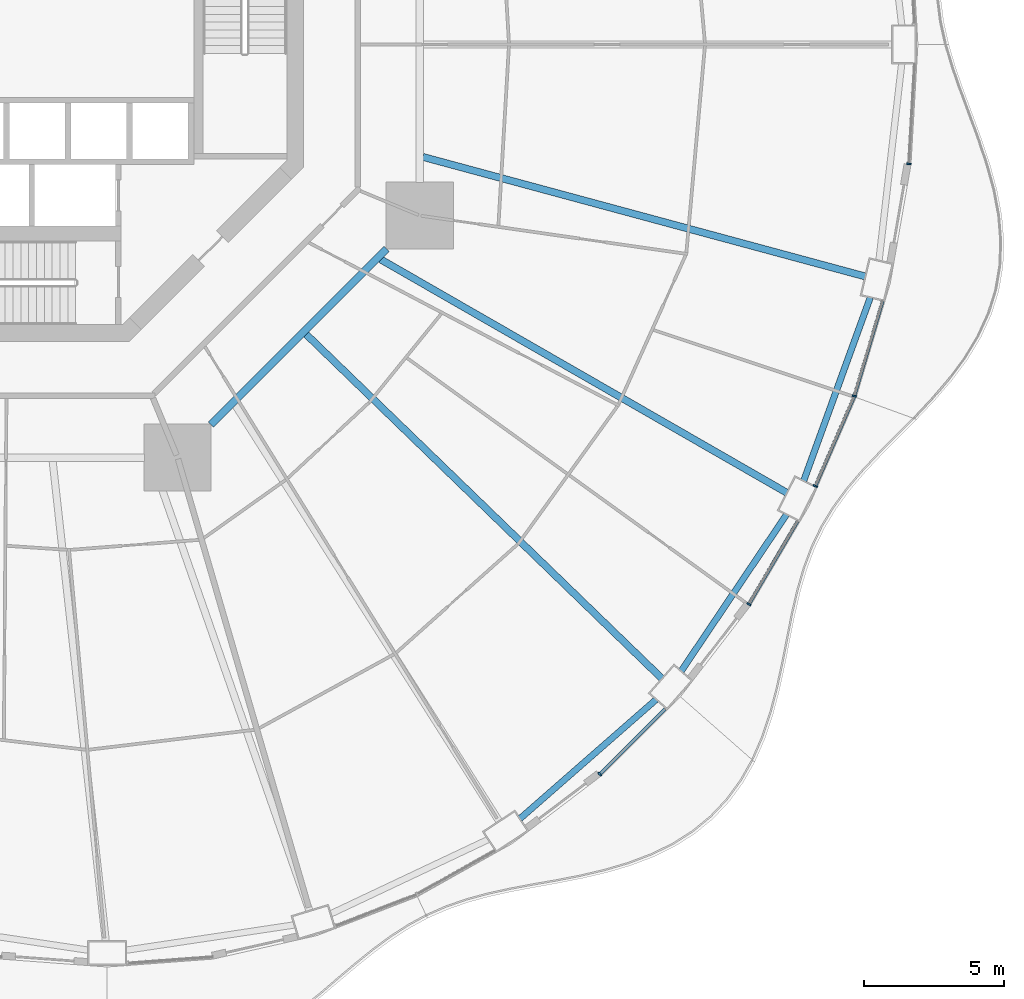
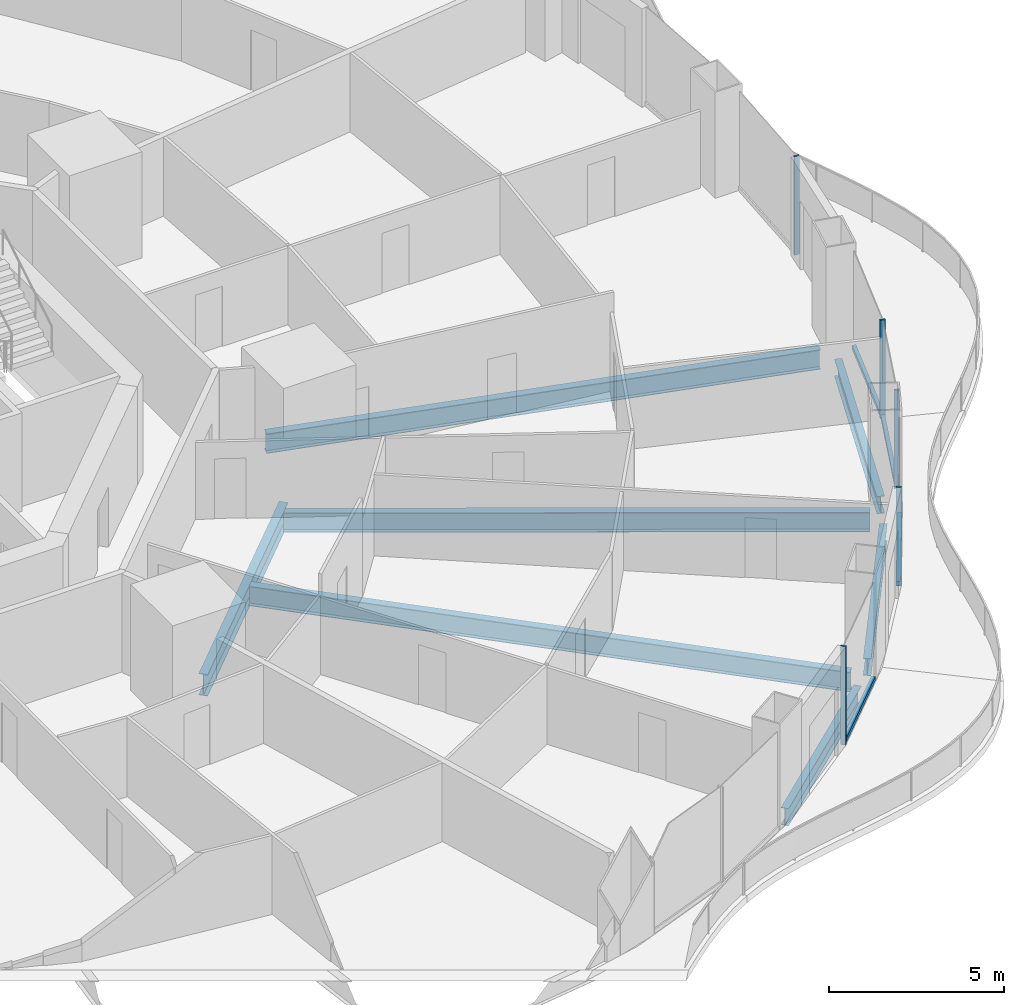
# One storey, part 5 of 22: 9 members, 7 beams, 5 elements without a shape of their own.
"""IFC4 building model written with IfcOpenShell, lengths in metres."""

from ifc_helpers import new_model, si_unit, direction, frame, origin, origin_2d, place, context, subcontext, project, spatial, rectangle, i_section, extrude, material, layer, layer_set, material_profile, profile_set, type_object, element, aggregate, save


model = new_model("IFC4")

# Units and contexts
model_context = context("Model", 3, precision=1e-05, world=origin(), true_north=direction((0.0, 1.0)))
body_context = subcontext(model_context, "Body", "Model", "MODEL_VIEW")
ifc_project = project(units=[si_unit("LENGTHUNIT", "METRE"), si_unit("AREAUNIT", "SQUARE_METRE"), si_unit("VOLUMEUNIT", "CUBIC_METRE"), si_unit("PLANEANGLEUNIT", "RADIAN"), si_unit("MASSUNIT", "GRAM", prefix="KILO")], contexts=[model_context])

# Site, building, storey
site_placement = place(None, origin())
site = spatial("IfcSite", under=ifc_project, at=site_placement, CompositionType="ELEMENT")
building_placement = place(site_placement, origin())
building = spatial("IfcBuilding", under=site, at=building_placement, Name="Nagisa Residences", CompositionType="ELEMENT")
storey_placement = place(building_placement, frame((0.0, 0.0, 41.800048828125)))
storey = spatial("IfcBuildingStorey", under=building, at=storey_placement, Name="L09", CompositionType="ELEMENT", Elevation=41.800048828125)

# Curtain wall, member
ifc_material_1 = material(Name="Concrete-coloured aluminium curtain wall system", Category="concrete")
ifc_layer = layer(ifc_material_1, 0.159912109375)
ifc_layer_set = layer_set([ifc_layer], Name="CW1 CURTAIN WALL")
curtain_wall_type = type_object("IfcCurtainWallType", Name="CW1 CURTAIN WALL", PredefinedType="NOTDEFINED", material=ifc_layer_set)
curtain_wall_1_placement = place(storey_placement, origin())
curtain_wall_1 = element("IfcCurtainWall", 1, at=curtain_wall_1_placement, inside=storey, type_object=curtain_wall_type, Name="cw:CW1:L09:41", PredefinedType="NOTDEFINED")
ifc_material_2 = material(Name="Concrete-coloured aluminium", Category="concrete")
ifc_material_profile_1 = material_profile(ifc_material_2, rectangle(XDim=0.159912109375, YDim=0.06005859375, at=origin_2d()), Name="CW1 MULLION 160x60")
ifc_profile_set_1 = profile_set([ifc_material_profile_1], Name="Concrete-coloured aluminium")
member_type_1 = type_object("IfcMemberType", Name="CW1 MULLION 160x60", PredefinedType="MULLION", material=ifc_profile_set_1)
member_1_placement = place(storey_placement, frame((21.21875, -26.102783203125, 0.0), z_axis=(0.0, 0.0, 1.0), x_axis=(-0.706376885714, 0.707835924016, 0.0)))
member_1 = element("IfcMember", 2, at=member_1_placement, type_object=member_type_1, Name="CW1 mullion", PredefinedType="MULLION", context=body_context, shape_type="SweptSolid", body=[
    extrude(rectangle(XDim=0.159912109375, YDim=0.06005859375, at=origin_2d()), origin(), (0.0, 0.0, 1.0), 3.43994140625),
])

curtain_wall_2_placement = place(storey_placement, origin())
curtain_wall_2 = element("IfcCurtainWall", 3, at=curtain_wall_2_placement, inside=storey, type_object=curtain_wall_type, Name="cw:CW1:L09:43", PredefinedType="NOTDEFINED")
member_2_placement = place(storey_placement, frame((26.553466796875, -20.022705078125, 0.0), z_axis=(0.0, 0.0, 1.0), x_axis=(-0.862328898214, 0.506348567002, 0.0)))
member_2 = element("IfcMember", 4, at=member_2_placement, type_object=member_type_1, Name="CW1 mullion", PredefinedType="MULLION", context=body_context, shape_type="SweptSolid", body=[
    extrude(rectangle(XDim=0.159912109375, YDim=0.06005859375, at=origin_2d()), origin(), (0.0, 0.0, 1.0), 3.43994140625),
])

curtain_wall_3_placement = place(storey_placement, origin())
curtain_wall_3 = element("IfcCurtainWall", 5, at=curtain_wall_3_placement, inside=storey, type_object=curtain_wall_type, Name="cw:CW1:L09:44", PredefinedType="NOTDEFINED")
member_3_placement = place(storey_placement, frame((28.931640625, -15.79833984375, 0.0), z_axis=(0.0, 0.0, 1.0), x_axis=(-0.917543276295, 0.397635934147, 0.0)))
member_3 = element("IfcMember", 6, at=member_3_placement, type_object=member_type_1, Name="CW1 mullion", PredefinedType="MULLION", context=body_context, shape_type="SweptSolid", body=[
    extrude(rectangle(XDim=0.159912109375, YDim=0.06005859375, at=origin_2d()), origin(), (0.0, 0.0, 1.0), 3.43994140625),
])

curtain_wall_4_placement = place(storey_placement, origin())
curtain_wall_4 = element("IfcCurtainWall", 7, at=curtain_wall_4_placement, inside=storey, type_object=curtain_wall_type, Name="cw:CW1:L09:45", PredefinedType="NOTDEFINED")
member_4_placement = place(storey_placement, frame((30.324462890625, -12.576904296875, 0.0), z_axis=(0.0, 0.0, 1.0), x_axis=(-0.958271310082, 0.285860274038, 0.0)))
member_4 = element("IfcMember", 8, at=member_4_placement, type_object=member_type_1, Name="CW1 mullion", PredefinedType="MULLION", context=body_context, shape_type="SweptSolid", body=[
    extrude(rectangle(XDim=0.159912109375, YDim=0.06005859375, at=origin_2d()), origin(), (0.0, 0.0, 1.0), 3.43994140625),
])

curtain_wall_5_placement = place(storey_placement, origin())
curtain_wall_5 = element("IfcCurtainWall", 9, at=curtain_wall_5_placement, inside=storey, type_object=curtain_wall_type, Name="cw:CW1:L09:47", PredefinedType="NOTDEFINED")
member_5_placement = place(storey_placement, frame((32.273681640625, -4.272705078125, 0.0), z_axis=(0.0, 0.0, 1.0), x_axis=(-0.998345305184, 0.057503492216, 0.0)))
member_5 = element("IfcMember", 10, at=member_5_placement, type_object=member_type_1, Name="CW1 mullion", PredefinedType="MULLION", context=body_context, shape_type="SweptSolid", body=[
    extrude(rectangle(XDim=0.159912109375, YDim=0.06005859375, at=origin_2d()), origin(), (0.0, 0.0, 1.0), 3.43994140625),
])
aggregate(curtain_wall_5, [member_5])

# Member
ifc_material_3 = material(Name="Concrete-coloured aluminium", Category="concrete")
ifc_material_profile_2 = material_profile(ifc_material_3, rectangle(XDim=0.1201171875, YDim=0.14990234375, at=origin_2d()), Name="CW1 TRANSOM 120x150")
ifc_profile_set_2 = profile_set([ifc_material_profile_2], Name="Concrete-coloured aluminium")
member_type_2 = type_object("IfcMemberType", Name="CW1 TRANSOM 120x150", PredefinedType="USERDEFINED", material=ifc_profile_set_2)
member_6_placement = place(storey_placement, frame((21.197509765625, -26.1240234375, 0.074951171875), z_axis=(0.707876350734, 0.706336373176, 0.0), x_axis=(-0.706336373176, 0.707876350734, 0.0)))
member_6 = element("IfcMember", 11, at=member_6_placement, type_object=member_type_2, Name="CW1 transom", ObjectType="TRANSOM", PredefinedType="USERDEFINED", context=body_context, shape_type="SweptSolid", body=[
    extrude(rectangle(XDim=0.1201171875, YDim=0.14990234375, at=origin_2d()), origin(), (0.0, 0.0, 1.0), 3.329345703125),
])

aggregate(curtain_wall_1, [member_1, member_6])

member_7_placement = place(storey_placement, frame((26.538330078125, -20.048583984375, 0.074951171875), z_axis=(0.506341951316, 0.862332782827, 0.0), x_axis=(-0.862332782827, 0.506341951316, 0.0)))
member_7 = element("IfcMember", 12, at=member_7_placement, type_object=member_type_2, Name="CW1 transom", ObjectType="TRANSOM", PredefinedType="USERDEFINED", context=body_context, shape_type="SweptSolid", body=[
    extrude(rectangle(XDim=0.1201171875, YDim=0.14990234375, at=origin_2d()), origin(), (0.0, 0.0, 1.0), 3.4619140625),
])

aggregate(curtain_wall_2, [member_2, member_7])

member_8_placement = place(storey_placement, frame((28.919677734375, -15.825927734375, 0.074951171875), z_axis=(0.397624958345, 0.917548032803, 0.0), x_axis=(-0.917548032803, 0.397624958345, 0.0)))
member_8 = element("IfcMember", 13, at=member_8_placement, type_object=member_type_2, Name="CW1 transom", ObjectType="TRANSOM", PredefinedType="USERDEFINED", context=body_context, shape_type="SweptSolid", body=[
    extrude(rectangle(XDim=0.1201171875, YDim=0.14990234375, at=origin_2d()), origin(), (0.0, 0.0, 1.0), 3.51953125),
])

aggregate(curtain_wall_3, [member_3, member_8])

member_9_placement = place(storey_placement, frame((30.31591796875, -12.605712890625, 0.074951171875), z_axis=(0.285871309426, 0.958268018065, 0.0), x_axis=(-0.958268018065, 0.285871309426, 0.0)))
member_9 = element("IfcMember", 14, at=member_9_placement, type_object=member_type_2, Name="CW1 transom", ObjectType="TRANSOM", PredefinedType="USERDEFINED", context=body_context, shape_type="SweptSolid", body=[
    extrude(rectangle(XDim=0.1201171875, YDim=0.14990234375, at=origin_2d()), origin(), (0.0, 0.0, 1.0), 3.5654296875),
])

aggregate(curtain_wall_4, [member_4, member_9])

# Beams
ifc_material_4 = material(Name="Steel ASTM A572 Gr 50", Category="steel")
ifc_material_profile_3 = material_profile(ifc_material_4, i_section(OverallWidth=0.264892578125, OverallDepth=0.7529296875, WebThickness=0.01318359375, FlangeThickness=0.01708984375, at=origin_2d()), Name="W760x147")
ifc_profile_set_3 = profile_set([ifc_material_profile_3], Name="Steel ASTM A572 Gr 50")
beam_type_1 = type_object("IfcBeamType", Name="Inner ring beam W760x147", PredefinedType="BEAM", material=ifc_profile_set_3)
beam_1_placement = place(storey_placement, frame((7.308837890625, -13.59619140625, -0.636474609375), z_axis=(0.707106781187, 0.707106781187, 0.0), x_axis=(-0.707106781187, 0.707106781187, 0.0)))
element("IfcBeam", 15, at=beam_1_placement, inside=storey, type_object=beam_type_1, Name="beam:L09:ib7", PredefinedType="BEAM", context=body_context, shape_type="SweptSolid", body=[
    extrude(i_section(OverallWidth=0.264892578125, OverallDepth=0.7529296875, WebThickness=0.01318359375, FlangeThickness=0.01708984375, at=origin_2d()), origin(), (0.0, 0.0, 1.0), 8.8916015625),
])
ifc_material_5 = material(Name="Steel ASTM A572 Gr 50", Category="steel")
ifc_material_profile_4 = material_profile(ifc_material_5, i_section(OverallWidth=0.22802734375, OverallDepth=0.60302734375, WebThickness=0.010498046875, FlangeThickness=0.014892578125, at=origin_2d()), Name="W610x101")
ifc_profile_set_4 = profile_set([ifc_material_profile_4], Name="Steel ASTM A572 Gr 50")
beam_type_2 = type_object("IfcBeamType", Name="Perimeter ring beam W610x101", PredefinedType="BEAM", material=ifc_profile_set_4)
beam_2_placement = place(storey_placement, frame((18.36669921875, -27.693603515625, -0.5615234375), z_axis=(0.7525907186, 0.658488580217, 0.0), x_axis=(-0.658488580217, 0.7525907186, 0.0)))
element("IfcBeam", 16, at=beam_2_placement, inside=storey, type_object=beam_type_2, Name="beam:L09:pb21", PredefinedType="BEAM", context=body_context, shape_type="SweptSolid", body=[
    extrude(i_section(OverallWidth=0.22802734375, OverallDepth=0.60302734375, WebThickness=0.010498046875, FlangeThickness=0.014892578125, at=origin_2d()), origin(), (0.0, 0.0, 1.0), 6.470458984375),
])
beam_3_placement = place(storey_placement, frame((24.135498046875, -22.411865234375, -0.5615234375), z_axis=(0.558271879663, 0.829658067144, 0.0), x_axis=(-0.829658067144, 0.558271879663, 0.0)))
element("IfcBeam", 17, at=beam_3_placement, inside=storey, type_object=beam_type_2, Name="beam:L09:pb22", PredefinedType="BEAM", context=body_context, shape_type="SweptSolid", body=[
    extrude(i_section(OverallWidth=0.22802734375, OverallDepth=0.60302734375, WebThickness=0.010498046875, FlangeThickness=0.014892578125, at=origin_2d()), origin(), (0.0, 0.0, 1.0), 6.74169921875),
])
beam_4_placement = place(storey_placement, frame((28.515625, -15.60595703125, -0.5615234375), z_axis=(0.341411143183, 0.939914055279, 0.0), x_axis=(-0.939914055279, 0.341411143183, 0.0)))
element("IfcBeam", 18, at=beam_4_placement, inside=storey, type_object=beam_type_2, Name="beam:L09:pb23", PredefinedType="BEAM", context=body_context, shape_type="SweptSolid", body=[
    extrude(i_section(OverallWidth=0.22802734375, OverallDepth=0.60302734375, WebThickness=0.010498046875, FlangeThickness=0.014892578125, at=origin_2d()), origin(), (0.0, 0.0, 1.0), 6.96923828125),
])
ifc_material_6 = material(Name="Steel ASTM A572 Gr 50", Category="steel")
ifc_material_profile_5 = material_profile(ifc_material_6, i_section(OverallWidth=0.25390625, OverallDepth=0.68408203125, WebThickness=0.012451171875, FlangeThickness=0.018798828125, at=origin_2d()), Name="W690x140")
ifc_profile_set_5 = profile_set([ifc_material_profile_5], Name="Steel ASTM A572 Gr 50")
beam_type_3 = type_object("IfcBeamType", Name="Radial beam W690x140", PredefinedType="BEAM", material=ifc_profile_set_5)
beam_5_placement = place(storey_placement, frame((23.443115234375, -22.681640625, -0.60205078125), z_axis=(-0.718678305776, 0.695342716081, 0.0), x_axis=(-0.695342716081, -0.718678305776, 0.0)))
element("IfcBeam", 19, at=beam_5_placement, inside=storey, type_object=beam_type_3, Name="beam:L09:rb22", PredefinedType="BEAM", context=body_context, shape_type="SweptSolid", body=[
    extrude(i_section(OverallWidth=0.25390625, OverallDepth=0.68408203125, WebThickness=0.012451171875, FlangeThickness=0.018798828125, at=origin_2d()), origin(), (0.0, 0.0, 1.0), 17.722900390625),
])
beam_6_placement = place(storey_placement, frame((27.908447265625, -16.035400390625, -0.60205078125), z_axis=(-0.867068052258, 0.498189715623, 0.0), x_axis=(-0.498189715623, -0.867068052258, 0.0)))
element("IfcBeam", 20, at=beam_6_placement, inside=storey, type_object=beam_type_3, Name="beam:L09:rb23", PredefinedType="BEAM", context=body_context, shape_type="SweptSolid", body=[
    extrude(i_section(OverallWidth=0.25390625, OverallDepth=0.68408203125, WebThickness=0.012451171875, FlangeThickness=0.018798828125, at=origin_2d()), origin(), (0.0, 0.0, 1.0), 16.758056640625),
])
beam_7_placement = place(storey_placement, frame((30.713623046875, -8.29931640625, -0.60205078125), z_axis=(-0.965375968847, 0.260862490162, 0.0), x_axis=(-0.260862490162, -0.965375968847, 0.0)))
element("IfcBeam", 21, at=beam_7_placement, inside=storey, type_object=beam_type_3, Name="beam:L09:rb24", PredefinedType="BEAM", context=body_context, shape_type="SweptSolid", body=[
    extrude(i_section(OverallWidth=0.25390625, OverallDepth=0.68408203125, WebThickness=0.012451171875, FlangeThickness=0.018798828125, at=origin_2d()), origin(), (0.0, 0.0, 1.0), 16.3857421875),
])

save(model, "model.ifc")
